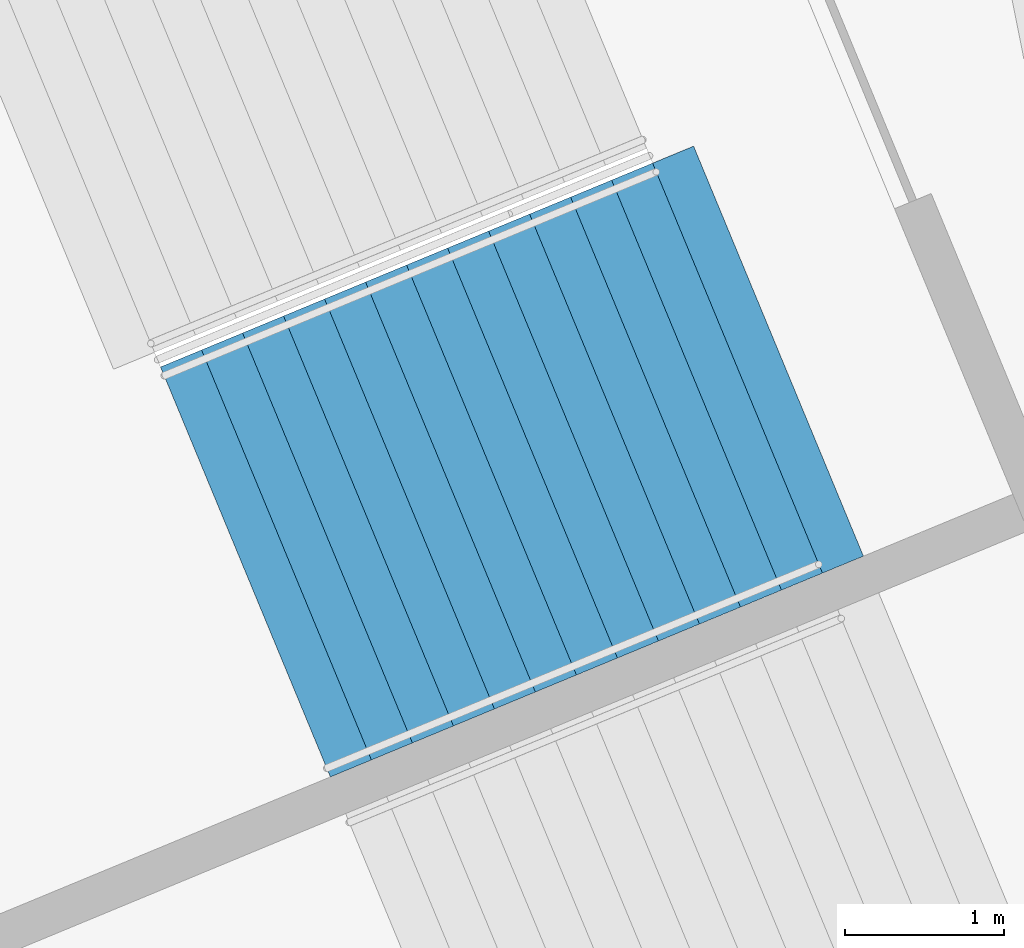
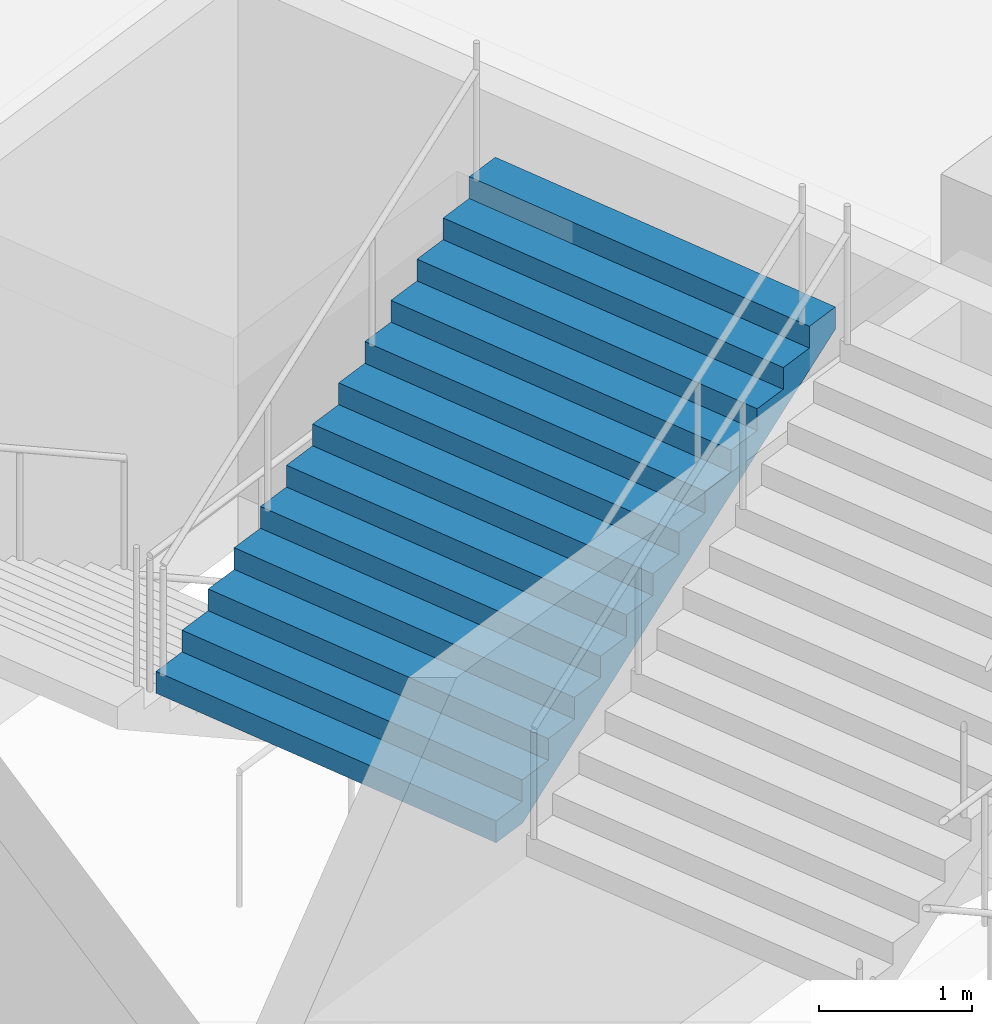
# One storey, part 112 of 199: 1 stair flight, 1 element without a shape of its own.
"""IFC4 building model written with IfcOpenShell, lengths in metres."""

from ifc_helpers import new_model, si_unit, direction, frame, origin, place, context, subcontext, project, spatial, faceted_brep, material, type_object, element, aggregate, save


model = new_model("IFC4")

# Units and contexts
model_context = context("Model", 3, precision=1e-05, world=origin(), true_north=direction((0.0, 1.0)))
body_context = subcontext(model_context, "Body", "Model", "MODEL_VIEW")
ifc_project = project(units=[si_unit("LENGTHUNIT", "METRE"), si_unit("AREAUNIT", "SQUARE_METRE"), si_unit("VOLUMEUNIT", "CUBIC_METRE"), si_unit("PLANEANGLEUNIT", "RADIAN"), si_unit("MASSUNIT", "GRAM", prefix="KILO")], contexts=[model_context])

# Site, building, storey
site_placement = place(None, origin())
site = spatial("IfcSite", under=ifc_project, at=site_placement, CompositionType="ELEMENT")
building_placement = place(site_placement, origin())
building = spatial("IfcBuilding", under=site, at=building_placement, Name="Ogive Plaza Stadium", CompositionType="ELEMENT")
storey_placement = place(building_placement, frame((0.0, 0.0, 9.0)))
storey = spatial("IfcBuildingStorey", under=building, at=storey_placement, Name="L02", CompositionType="ELEMENT", Elevation=9.0)

# Stair, stair flight
ifc_material_1 = material(Name="Concrete C40/50", Category="concrete")
stair_type = type_object("IfcStairType", Name="Exit stair", PredefinedType="STRAIGHT_RUN_STAIR", material=ifc_material_1)
stair_placement = place(storey_placement, origin())
stair = element("IfcStair", 1, at=stair_placement, inside=storey, type_object=stair_type, Name="Exit stair ST20A L02 to L03", PredefinedType="STRAIGHT_RUN_STAIR")
ifc_material_2 = material(Name="Concrete C40/50", Category="concrete")
stair_flight_type = type_object("IfcStairFlightType", Name="Exit stair flight", PredefinedType="STRAIGHT", material=ifc_material_2)
stair_flight_placement = place(storey_placement, frame((-76.814208984375, -68.58349609375, 2.25), z_axis=(0.0, 0.0, 1.0), x_axis=(0.923879532511, 0.382683432365, 0.0)))
stair_flight = element("IfcStairFlight", 2, at=stair_flight_placement, type_object=stair_flight_type, Name="ST20A flight 2", NumberOfRisers=13, NumberOfTreads=12, PredefinedType="STRAIGHT", RiserHeight=0.173076923, TreadLength=0.28, context=body_context, shape_type="Brep", body=[
    faceted_brep([(0.28515625, -1.39990234375, 0.0), (3.639892578125, -1.39990234375, 2.07373046875), (3.639892578125, -1.39990234375, 2.25), (3.360107421875, -1.39990234375, 2.25), (3.360107421875, -1.39990234375, 2.076904296875), (3.080078125, -1.39990234375, 2.076904296875), (3.080078125, -1.39990234375, 1.90380859375), (2.800048828125, -1.39990234375, 1.90380859375), (2.800048828125, -1.39990234375, 1.730712890625), (2.52001953125, -1.39990234375, 1.730712890625), (2.52001953125, -1.39990234375, 1.5576171875), (2.239990234375, -1.39990234375, 1.5576171875), (2.239990234375, -1.39990234375, 1.384521484375), (1.9599609375, -1.39990234375, 1.384521484375), (1.9599609375, -1.39990234375, 1.21142578125), (1.679931640625, -1.39990234375, 1.21142578125), (1.679931640625, -1.39990234375, 1.03857421875), (1.39990234375, -1.39990234375, 1.03857421875), (1.39990234375, -1.39990234375, 0.865478515625), (1.1201171875, -1.39990234375, 0.865478515625), (1.1201171875, -1.39990234375, 0.6923828125), (0.840087890625, -1.39990234375, 0.6923828125), (0.840087890625, -1.39990234375, 0.519287109375), (0.56005859375, -1.39990234375, 0.519287109375), (0.56005859375, -1.39990234375, 0.34619140625), (0.280029296875, -1.39990234375, 0.34619140625), (0.280029296875, -1.39990234375, 0.173095703125), (0.0, -1.39990234375, 0.173095703125), (0.0, -1.39990234375, 0.0), (0.0, 1.39990234375, 0.0), (0.0, 1.39990234375, 0.173095703125), (0.280029296875, 1.39990234375, 0.173095703125), (0.280029296875, 1.39990234375, 0.34619140625), (0.56005859375, 1.39990234375, 0.34619140625), (0.56005859375, 1.39990234375, 0.519287109375), (0.840087890625, 1.39990234375, 0.519287109375), (0.840087890625, 1.39990234375, 0.6923828125), (1.1201171875, 1.39990234375, 0.6923828125), (1.1201171875, 1.39990234375, 0.865478515625), (1.39990234375, 1.39990234375, 0.865478515625), (1.39990234375, 1.39990234375, 1.03857421875), (1.679931640625, 1.39990234375, 1.03857421875), (1.679931640625, 1.39990234375, 1.21142578125), (1.9599609375, 1.39990234375, 1.21142578125), (1.9599609375, 1.39990234375, 1.384521484375), (2.239990234375, 1.39990234375, 1.384521484375), (2.239990234375, 1.39990234375, 1.5576171875), (2.52001953125, 1.39990234375, 1.5576171875), (2.52001953125, 1.39990234375, 1.730712890625), (2.800048828125, 1.39990234375, 1.730712890625), (2.800048828125, 1.39990234375, 1.90380859375), (3.080078125, 1.39990234375, 1.90380859375), (3.080078125, 1.39990234375, 2.076904296875), (3.360107421875, 1.39990234375, 2.076904296875), (3.360107421875, 1.39990234375, 2.25), (3.639892578125, 1.39990234375, 2.25), (3.639892578125, 1.39990234375, 2.07373046875), (0.28515625, 1.39990234375, 0.0), (0.28515625, -1.0888671875, 0.0), (3.639892578125, -1.0888671875, 2.07373046875), (0.28515625, -0.77783203125, 0.0), (3.639892578125, -0.77783203125, 2.07373046875), (0.28515625, -0.466796875, 0.0), (3.639892578125, -0.466796875, 2.07373046875), (0.28515625, -0.155517578125, 0.0), (3.639892578125, -0.155517578125, 2.07373046875), (0.28515625, 0.155517578125, 0.0), (3.639892578125, 0.155517578125, 2.07373046875), (0.28515625, 0.466796875, 0.0), (3.639892578125, 0.466796875, 2.07373046875), (0.28515625, 0.77783203125, 0.0), (3.639892578125, 0.77783203125, 2.07373046875), (0.28515625, 1.0888671875, 0.0), (3.639892578125, 1.0888671875, 2.07373046875), (3.639892578125, -1.0888671875, 2.25), (3.639892578125, -0.77783203125, 2.25), (3.639892578125, -0.466796875, 2.25), (3.639892578125, -0.155517578125, 2.25), (3.639892578125, 0.155517578125, 2.25), (3.639892578125, 0.466796875, 2.25), (3.639892578125, 0.77783203125, 2.25), (3.639892578125, 1.0888671875, 2.25), (3.360107421875, -1.0888671875, 2.25), (3.360107421875, -0.77783203125, 2.25), (3.360107421875, -0.466796875, 2.25), (3.360107421875, -0.155517578125, 2.25), (3.360107421875, 0.155517578125, 2.25), (3.360107421875, 0.466796875, 2.25), (3.360107421875, 0.77783203125, 2.25), (3.360107421875, 1.0888671875, 2.25), (3.360107421875, -1.0888671875, 2.076904296875), (3.360107421875, -0.77783203125, 2.076904296875), (3.360107421875, -0.466796875, 2.076904296875), (3.360107421875, -0.155517578125, 2.076904296875), (3.360107421875, 0.155517578125, 2.076904296875), (3.360107421875, 0.466796875, 2.076904296875), (3.360107421875, 0.77783203125, 2.076904296875), (3.360107421875, 1.0888671875, 2.076904296875), (3.080078125, -1.0888671875, 2.076904296875), (3.080078125, -0.77783203125, 2.076904296875), (3.080078125, -0.466796875, 2.076904296875), (3.080078125, -0.155517578125, 2.076904296875), (3.080078125, 0.155517578125, 2.076904296875), (3.080078125, 0.466796875, 2.076904296875), (3.080078125, 0.77783203125, 2.076904296875), (3.080078125, 1.0888671875, 2.076904296875), (3.080078125, -1.0888671875, 1.90380859375), (3.080078125, -0.77783203125, 1.90380859375), (3.080078125, -0.466796875, 1.90380859375), (3.080078125, -0.155517578125, 1.90380859375), (3.080078125, 0.155517578125, 1.90380859375), (3.080078125, 0.466796875, 1.90380859375), (3.080078125, 0.77783203125, 1.90380859375), (3.080078125, 1.0888671875, 1.90380859375), (2.800048828125, -1.0888671875, 1.90380859375), (2.800048828125, -0.77783203125, 1.90380859375), (2.800048828125, -0.466796875, 1.90380859375), (2.800048828125, -0.155517578125, 1.90380859375), (2.800048828125, 0.155517578125, 1.90380859375), (2.800048828125, 0.466796875, 1.90380859375), (2.800048828125, 0.77783203125, 1.90380859375), (2.800048828125, 1.0888671875, 1.90380859375), (2.800048828125, -1.0888671875, 1.730712890625), (2.800048828125, -0.77783203125, 1.730712890625), (2.800048828125, -0.466796875, 1.730712890625), (2.800048828125, -0.155517578125, 1.730712890625), (2.800048828125, 0.155517578125, 1.730712890625), (2.800048828125, 0.466796875, 1.730712890625), (2.800048828125, 0.77783203125, 1.730712890625), (2.800048828125, 1.0888671875, 1.730712890625), (2.52001953125, -1.0888671875, 1.730712890625), (2.52001953125, -0.77783203125, 1.730712890625), (2.52001953125, -0.466796875, 1.730712890625), (2.52001953125, -0.155517578125, 1.730712890625), (2.52001953125, 0.155517578125, 1.730712890625), (2.52001953125, 0.466796875, 1.730712890625), (2.52001953125, 0.77783203125, 1.730712890625), (2.52001953125, 1.0888671875, 1.730712890625), (2.52001953125, -1.0888671875, 1.5576171875), (2.52001953125, -0.77783203125, 1.5576171875), (2.52001953125, -0.466796875, 1.5576171875), (2.52001953125, -0.155517578125, 1.5576171875), (2.52001953125, 0.155517578125, 1.5576171875), (2.52001953125, 0.466796875, 1.5576171875), (2.52001953125, 0.77783203125, 1.5576171875), (2.52001953125, 1.0888671875, 1.5576171875), (2.239990234375, -1.0888671875, 1.5576171875), (2.239990234375, -0.77783203125, 1.5576171875), (2.239990234375, -0.466796875, 1.5576171875), (2.239990234375, -0.155517578125, 1.5576171875), (2.239990234375, 0.155517578125, 1.5576171875), (2.239990234375, 0.466796875, 1.5576171875), (2.239990234375, 0.77783203125, 1.5576171875), (2.239990234375, 1.0888671875, 1.5576171875), (2.239990234375, -1.0888671875, 1.384521484375), (2.239990234375, -0.77783203125, 1.384521484375), (2.239990234375, -0.466796875, 1.384521484375), (2.239990234375, -0.155517578125, 1.384521484375), (2.239990234375, 0.155517578125, 1.384521484375), (2.239990234375, 0.466796875, 1.384521484375), (2.239990234375, 0.77783203125, 1.384521484375), (2.239990234375, 1.0888671875, 1.384521484375), (1.9599609375, -1.0888671875, 1.384521484375), (1.9599609375, -0.77783203125, 1.384521484375), (1.9599609375, -0.466796875, 1.384521484375), (1.9599609375, -0.155517578125, 1.384521484375), (1.9599609375, 0.155517578125, 1.384521484375), (1.9599609375, 0.466796875, 1.384521484375), (1.9599609375, 0.77783203125, 1.384521484375), (1.9599609375, 1.0888671875, 1.384521484375), (1.9599609375, -1.0888671875, 1.21142578125), (1.9599609375, -0.77783203125, 1.21142578125), (1.9599609375, -0.466796875, 1.21142578125), (1.9599609375, -0.155517578125, 1.21142578125), (1.9599609375, 0.155517578125, 1.21142578125), (1.9599609375, 0.466796875, 1.21142578125), (1.9599609375, 0.77783203125, 1.21142578125), (1.9599609375, 1.0888671875, 1.21142578125), (1.679931640625, -1.0888671875, 1.21142578125), (1.679931640625, -0.77783203125, 1.21142578125), (1.679931640625, -0.466796875, 1.21142578125), (1.679931640625, -0.155517578125, 1.21142578125), (1.679931640625, 0.155517578125, 1.21142578125), (1.679931640625, 0.466796875, 1.21142578125), (1.679931640625, 0.77783203125, 1.21142578125), (1.679931640625, 1.0888671875, 1.21142578125), (1.679931640625, -1.0888671875, 1.03857421875), (1.679931640625, -0.77783203125, 1.03857421875), (1.679931640625, -0.466796875, 1.03857421875), (1.679931640625, -0.155517578125, 1.03857421875), (1.679931640625, 0.155517578125, 1.03857421875), (1.679931640625, 0.466796875, 1.03857421875), (1.679931640625, 0.77783203125, 1.03857421875), (1.679931640625, 1.0888671875, 1.03857421875), (1.39990234375, -1.0888671875, 1.03857421875), (1.39990234375, -0.77783203125, 1.03857421875), (1.39990234375, -0.466796875, 1.03857421875), (1.39990234375, -0.155517578125, 1.03857421875), (1.39990234375, 0.155517578125, 1.03857421875), (1.39990234375, 0.466796875, 1.03857421875), (1.39990234375, 0.77783203125, 1.03857421875), (1.39990234375, 1.0888671875, 1.03857421875), (1.39990234375, -1.0888671875, 0.865478515625), (1.39990234375, -0.77783203125, 0.865478515625), (1.39990234375, -0.466796875, 0.865478515625), (1.39990234375, -0.155517578125, 0.865478515625), (1.39990234375, 0.155517578125, 0.865478515625), (1.39990234375, 0.466796875, 0.865478515625), (1.39990234375, 0.77783203125, 0.865478515625), (1.39990234375, 1.0888671875, 0.865478515625), (1.1201171875, -1.0888671875, 0.865478515625), (1.1201171875, -0.77783203125, 0.865478515625), (1.1201171875, -0.466796875, 0.865478515625), (1.1201171875, -0.155517578125, 0.865478515625), (1.1201171875, 0.155517578125, 0.865478515625), (1.1201171875, 0.466796875, 0.865478515625), (1.1201171875, 0.77783203125, 0.865478515625), (1.1201171875, 1.0888671875, 0.865478515625), (1.1201171875, -1.0888671875, 0.6923828125), (1.1201171875, -0.77783203125, 0.6923828125), (1.1201171875, -0.466796875, 0.6923828125), (1.1201171875, -0.155517578125, 0.6923828125), (1.1201171875, 0.155517578125, 0.6923828125), (1.1201171875, 0.466796875, 0.6923828125), (1.1201171875, 0.77783203125, 0.6923828125), (1.1201171875, 1.0888671875, 0.6923828125), (0.840087890625, -1.0888671875, 0.6923828125), (0.840087890625, -0.77783203125, 0.6923828125), (0.840087890625, -0.466796875, 0.6923828125), (0.840087890625, -0.155517578125, 0.6923828125), (0.840087890625, 0.155517578125, 0.6923828125), (0.840087890625, 0.466796875, 0.6923828125), (0.840087890625, 0.77783203125, 0.6923828125), (0.840087890625, 1.0888671875, 0.6923828125), (0.840087890625, -1.0888671875, 0.519287109375), (0.840087890625, -0.77783203125, 0.519287109375), (0.840087890625, -0.466796875, 0.519287109375), (0.840087890625, -0.155517578125, 0.519287109375), (0.840087890625, 0.155517578125, 0.519287109375), (0.840087890625, 0.466796875, 0.519287109375), (0.840087890625, 0.77783203125, 0.519287109375), (0.840087890625, 1.0888671875, 0.519287109375), (0.56005859375, -1.0888671875, 0.519287109375), (0.56005859375, -0.77783203125, 0.519287109375), (0.56005859375, -0.466796875, 0.519287109375), (0.56005859375, -0.155517578125, 0.519287109375), (0.56005859375, 0.155517578125, 0.519287109375), (0.56005859375, 0.466796875, 0.519287109375), (0.56005859375, 0.77783203125, 0.519287109375), (0.56005859375, 1.0888671875, 0.519287109375), (0.56005859375, -1.0888671875, 0.34619140625), (0.56005859375, -0.77783203125, 0.34619140625), (0.56005859375, -0.466796875, 0.34619140625), (0.56005859375, -0.155517578125, 0.34619140625), (0.56005859375, 0.155517578125, 0.34619140625), (0.56005859375, 0.466796875, 0.34619140625), (0.56005859375, 0.77783203125, 0.34619140625), (0.56005859375, 1.0888671875, 0.34619140625), (0.280029296875, -1.0888671875, 0.34619140625), (0.280029296875, -0.77783203125, 0.34619140625), (0.280029296875, -0.466796875, 0.34619140625), (0.280029296875, -0.155517578125, 0.34619140625), (0.280029296875, 0.155517578125, 0.34619140625), (0.280029296875, 0.466796875, 0.34619140625), (0.280029296875, 0.77783203125, 0.34619140625), (0.280029296875, 1.0888671875, 0.34619140625), (0.280029296875, -1.0888671875, 0.173095703125), (0.280029296875, -0.77783203125, 0.173095703125), (0.280029296875, -0.466796875, 0.173095703125), (0.280029296875, -0.155517578125, 0.173095703125), (0.280029296875, 0.155517578125, 0.173095703125), (0.280029296875, 0.466796875, 0.173095703125), (0.280029296875, 0.77783203125, 0.173095703125), (0.280029296875, 1.0888671875, 0.173095703125), (0.0, -1.0888671875, 0.173095703125), (0.0, -0.77783203125, 0.173095703125), (0.0, -0.466796875, 0.173095703125), (0.0, -0.155517578125, 0.173095703125), (0.0, 0.155517578125, 0.173095703125), (0.0, 0.466796875, 0.173095703125), (0.0, 0.77783203125, 0.173095703125), (0.0, 1.0888671875, 0.173095703125), (0.0, -1.0888671875, 0.0), (0.0, -0.77783203125, 0.0), (0.0, -0.466796875, 0.0), (0.0, -0.155517578125, 0.0), (0.0, 0.155517578125, 0.0), (0.0, 0.466796875, 0.0), (0.0, 0.77783203125, 0.0), (0.0, 1.0888671875, 0.0)], [[[0, 1, 2, 3, 4, 5, 6, 7, 8, 9, 10, 11, 12, 13, 14, 15, 16, 17, 18, 19, 20, 21, 22, 23, 24, 25, 26, 27, 28]], [[29, 30, 31, 32, 33, 34, 35, 36, 37, 38, 39, 40, 41, 42, 43, 44, 45, 46, 47, 48, 49, 50, 51, 52, 53, 54, 55, 56, 57]], [[0, 58, 59, 1]], [[58, 60, 61, 59]], [[60, 62, 63, 61]], [[62, 64, 65, 63]], [[64, 66, 67, 65]], [[66, 68, 69, 67]], [[68, 70, 71, 69]], [[70, 72, 73, 71]], [[72, 57, 56, 73]], [[1, 59, 74, 2]], [[59, 61, 75, 74]], [[61, 63, 76, 75]], [[63, 65, 77, 76]], [[65, 67, 78, 77]], [[67, 69, 79, 78]], [[69, 71, 80, 79]], [[71, 73, 81, 80]], [[73, 56, 55, 81]], [[2, 74, 82, 3]], [[74, 75, 83, 82]], [[75, 76, 84, 83]], [[76, 77, 85, 84]], [[77, 78, 86, 85]], [[78, 79, 87, 86]], [[79, 80, 88, 87]], [[80, 81, 89, 88]], [[81, 55, 54, 89]], [[3, 82, 90, 4]], [[82, 83, 91, 90]], [[83, 84, 92, 91]], [[84, 85, 93, 92]], [[85, 86, 94, 93]], [[86, 87, 95, 94]], [[87, 88, 96, 95]], [[88, 89, 97, 96]], [[89, 54, 53, 97]], [[4, 90, 98, 5]], [[90, 91, 99, 98]], [[91, 92, 100, 99]], [[92, 93, 101, 100]], [[93, 94, 102, 101]], [[94, 95, 103, 102]], [[95, 96, 104, 103]], [[96, 97, 105, 104]], [[97, 53, 52, 105]], [[5, 98, 106, 6]], [[98, 99, 107, 106]], [[99, 100, 108, 107]], [[100, 101, 109, 108]], [[101, 102, 110, 109]], [[102, 103, 111, 110]], [[103, 104, 112, 111]], [[104, 105, 113, 112]], [[105, 52, 51, 113]], [[6, 106, 114, 7]], [[106, 107, 115, 114]], [[107, 108, 116, 115]], [[108, 109, 117, 116]], [[109, 110, 118, 117]], [[110, 111, 119, 118]], [[111, 112, 120, 119]], [[112, 113, 121, 120]], [[113, 51, 50, 121]], [[7, 114, 122, 8]], [[114, 115, 123, 122]], [[115, 116, 124, 123]], [[116, 117, 125, 124]], [[117, 118, 126, 125]], [[118, 119, 127, 126]], [[119, 120, 128, 127]], [[120, 121, 129, 128]], [[121, 50, 49, 129]], [[8, 122, 130, 9]], [[122, 123, 131, 130]], [[123, 124, 132, 131]], [[124, 125, 133, 132]], [[125, 126, 134, 133]], [[126, 127, 135, 134]], [[127, 128, 136, 135]], [[128, 129, 137, 136]], [[129, 49, 48, 137]], [[9, 130, 138, 10]], [[130, 131, 139, 138]], [[131, 132, 140, 139]], [[132, 133, 141, 140]], [[133, 134, 142, 141]], [[134, 135, 143, 142]], [[135, 136, 144, 143]], [[136, 137, 145, 144]], [[137, 48, 47, 145]], [[10, 138, 146, 11]], [[138, 139, 147, 146]], [[139, 140, 148, 147]], [[140, 141, 149, 148]], [[141, 142, 150, 149]], [[142, 143, 151, 150]], [[143, 144, 152, 151]], [[144, 145, 153, 152]], [[145, 47, 46, 153]], [[11, 146, 154, 12]], [[146, 147, 155, 154]], [[147, 148, 156, 155]], [[148, 149, 157, 156]], [[149, 150, 158, 157]], [[150, 151, 159, 158]], [[151, 152, 160, 159]], [[152, 153, 161, 160]], [[153, 46, 45, 161]], [[12, 154, 162, 13]], [[154, 155, 163, 162]], [[155, 156, 164, 163]], [[156, 157, 165, 164]], [[157, 158, 166, 165]], [[158, 159, 167, 166]], [[159, 160, 168, 167]], [[160, 161, 169, 168]], [[161, 45, 44, 169]], [[13, 162, 170, 14]], [[162, 163, 171, 170]], [[163, 164, 172, 171]], [[164, 165, 173, 172]], [[165, 166, 174, 173]], [[166, 167, 175, 174]], [[167, 168, 176, 175]], [[168, 169, 177, 176]], [[169, 44, 43, 177]], [[14, 170, 178, 15]], [[170, 171, 179, 178]], [[171, 172, 180, 179]], [[172, 173, 181, 180]], [[173, 174, 182, 181]], [[174, 175, 183, 182]], [[175, 176, 184, 183]], [[176, 177, 185, 184]], [[177, 43, 42, 185]], [[15, 178, 186, 16]], [[178, 179, 187, 186]], [[179, 180, 188, 187]], [[180, 181, 189, 188]], [[181, 182, 190, 189]], [[182, 183, 191, 190]], [[183, 184, 192, 191]], [[184, 185, 193, 192]], [[185, 42, 41, 193]], [[16, 186, 194, 17]], [[186, 187, 195, 194]], [[187, 188, 196, 195]], [[188, 189, 197, 196]], [[189, 190, 198, 197]], [[190, 191, 199, 198]], [[191, 192, 200, 199]], [[192, 193, 201, 200]], [[193, 41, 40, 201]], [[17, 194, 202, 18]], [[194, 195, 203, 202]], [[195, 196, 204, 203]], [[196, 197, 205, 204]], [[197, 198, 206, 205]], [[198, 199, 207, 206]], [[199, 200, 208, 207]], [[200, 201, 209, 208]], [[201, 40, 39, 209]], [[18, 202, 210, 19]], [[202, 203, 211, 210]], [[203, 204, 212, 211]], [[204, 205, 213, 212]], [[205, 206, 214, 213]], [[206, 207, 215, 214]], [[207, 208, 216, 215]], [[208, 209, 217, 216]], [[209, 39, 38, 217]], [[19, 210, 218, 20]], [[210, 211, 219, 218]], [[211, 212, 220, 219]], [[212, 213, 221, 220]], [[213, 214, 222, 221]], [[214, 215, 223, 222]], [[215, 216, 224, 223]], [[216, 217, 225, 224]], [[217, 38, 37, 225]], [[20, 218, 226, 21]], [[218, 219, 227, 226]], [[219, 220, 228, 227]], [[220, 221, 229, 228]], [[221, 222, 230, 229]], [[222, 223, 231, 230]], [[223, 224, 232, 231]], [[224, 225, 233, 232]], [[225, 37, 36, 233]], [[21, 226, 234, 22]], [[226, 227, 235, 234]], [[227, 228, 236, 235]], [[228, 229, 237, 236]], [[229, 230, 238, 237]], [[230, 231, 239, 238]], [[231, 232, 240, 239]], [[232, 233, 241, 240]], [[233, 36, 35, 241]], [[22, 234, 242, 23]], [[234, 235, 243, 242]], [[235, 236, 244, 243]], [[236, 237, 245, 244]], [[237, 238, 246, 245]], [[238, 239, 247, 246]], [[239, 240, 248, 247]], [[240, 241, 249, 248]], [[241, 35, 34, 249]], [[23, 242, 250, 24]], [[242, 243, 251, 250]], [[243, 244, 252, 251]], [[244, 245, 253, 252]], [[245, 246, 254, 253]], [[246, 247, 255, 254]], [[247, 248, 256, 255]], [[248, 249, 257, 256]], [[249, 34, 33, 257]], [[24, 250, 258, 25]], [[250, 251, 259, 258]], [[251, 252, 260, 259]], [[252, 253, 261, 260]], [[253, 254, 262, 261]], [[254, 255, 263, 262]], [[255, 256, 264, 263]], [[256, 257, 265, 264]], [[257, 33, 32, 265]], [[25, 258, 266, 26]], [[258, 259, 267, 266]], [[259, 260, 268, 267]], [[260, 261, 269, 268]], [[261, 262, 270, 269]], [[262, 263, 271, 270]], [[263, 264, 272, 271]], [[264, 265, 273, 272]], [[265, 32, 31, 273]], [[26, 266, 274, 27]], [[266, 267, 275, 274]], [[267, 268, 276, 275]], [[268, 269, 277, 276]], [[269, 270, 278, 277]], [[270, 271, 279, 278]], [[271, 272, 280, 279]], [[272, 273, 281, 280]], [[273, 31, 30, 281]], [[27, 274, 282, 28]], [[274, 275, 283, 282]], [[275, 276, 284, 283]], [[276, 277, 285, 284]], [[277, 278, 286, 285]], [[278, 279, 287, 286]], [[279, 280, 288, 287]], [[280, 281, 289, 288]], [[281, 30, 29, 289]], [[28, 282, 58, 0]], [[282, 283, 60, 58]], [[283, 284, 62, 60]], [[284, 285, 64, 62]], [[285, 286, 66, 64]], [[286, 287, 68, 66]], [[287, 288, 70, 68]], [[288, 289, 72, 70]], [[289, 29, 57, 72]]]),
])
aggregate(stair, [stair_flight])

save(model, "model.ifc")
